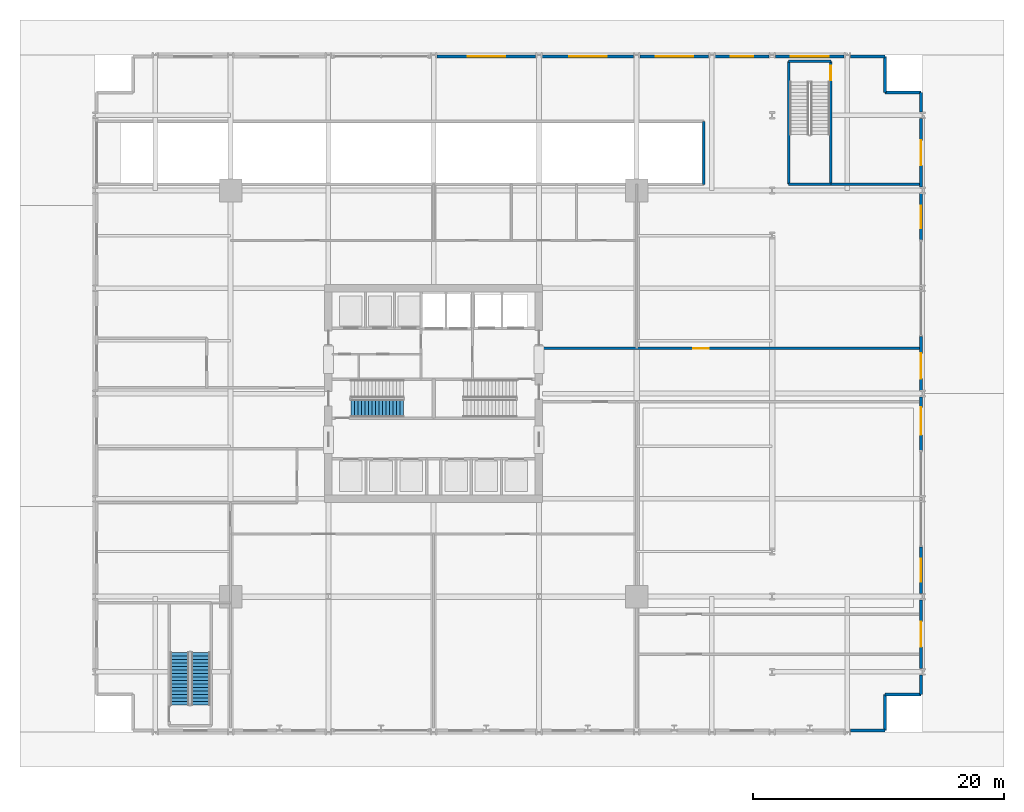
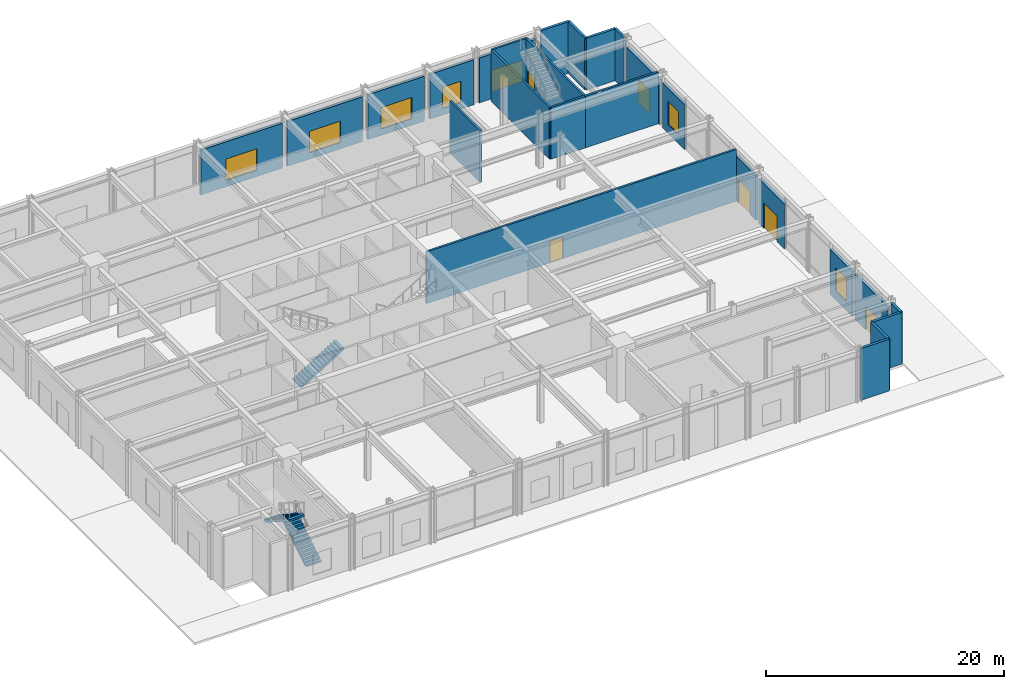
# One storey, part 14 of 21: 26 walls, 7 windows, 6 doors, 3 stair flights, 13 openings, 2 elements without a shape of their own.
"""IFC4 building model written with IfcOpenShell, lengths in metres."""

from ifc_helpers import new_model, si_unit, direction, frame, frame_2d, origin, place, context, subcontext, project, spatial, polyline, rectangle, outline, extrude, material, layer, layer_set, type_object, element, fill, aggregate, save


model = new_model("IFC4")

# Units and contexts
model_context = context("Model", 3, precision=1e-05, world=origin(), true_north=direction((0.0, 1.0)))
body_context = subcontext(model_context, "Body", "Model", "MODEL_VIEW")
ifc_project = project(units=[si_unit("LENGTHUNIT", "METRE"), si_unit("AREAUNIT", "SQUARE_METRE"), si_unit("VOLUMEUNIT", "CUBIC_METRE"), si_unit("PLANEANGLEUNIT", "RADIAN"), si_unit("MASSUNIT", "GRAM", prefix="KILO")], contexts=[model_context])

# Site, building, storey
site_placement = place(None, origin())
site = spatial("IfcSite", under=ifc_project, at=site_placement, CompositionType="ELEMENT")
building_placement = place(site_placement, origin())
building = spatial("IfcBuilding", under=site, at=building_placement, Name="Drelvath Grand Hotel", CompositionType="ELEMENT")
storey_placement = place(building_placement, origin())
storey = spatial("IfcBuildingStorey", under=building, at=storey_placement, Name="L00", CompositionType="ELEMENT", Elevation=0.0)

# Wall
ifc_material_1 = material(Name="Concrete C40/50", Category="concrete")
ifc_layer_1 = layer(ifc_material_1, 0.199951171875)
ifc_layer_set_1 = layer_set([ifc_layer_1], Name="Concrete C40/50")
wall_type_1 = type_object("IfcWallType", Name="Core Shaft Fire Wall 200", PredefinedType="SOLIDWALL", material=ifc_layer_set_1)
wall_1_placement = place(storey_placement, frame((28.320068359375, 43.699951171875, 0.0), z_axis=(0.0, 0.0, 1.0), x_axis=(0.0, 1.0, 0.0)))
element("IfcWall", 1, at=wall_1_placement, inside=storey, type_object=wall_type_1, Name="L00 Stair ST-4 West Wall", PredefinedType="SOLIDWALL", context=body_context, shape_type="SweptSolid", body=[
    extrude(rectangle(XDim=9.800048828125, YDim=0.199951171875, at=frame_2d((4.89990234375, 0.0))), origin(), (0.0, 0.0, 1.0), 5.300048828125),
])

# Wall, opening, door
wall_2_placement = place(storey_placement, frame((31.679931640625, 53.5, 0.0), z_axis=(0.0, 0.0, 1.0), x_axis=(0.0, -1.0, 0.0)))
wall_2 = element("IfcWall", 2, at=wall_2_placement, inside=storey, type_object=wall_type_1, Name="L00 Stair ST-4 East Wall", PredefinedType="SOLIDWALL", context=body_context, shape_type="SweptSolid", body=[
    extrude(rectangle(XDim=9.800048828125, YDim=0.199951171875, at=frame_2d((4.89990234375, 0.0))), origin(), (0.0, 0.0, 1.0), 5.300048828125),
])
opening_1_placement = place(wall_2_placement, frame((0.35009765625, 0.0, 0.0)))
opening_1 = element("IfcOpeningElement", 3, at=opening_1_placement, cuts=wall_2, Name="Opening SD-ST4-L00", PredefinedType="OPENING", context=body_context, shape_type="SweptSolid", body=[
    extrude(rectangle(XDim=1.14990234375, YDim=2.14990234375, at=frame_2d((0.574951171875, 1.074951171875))), frame((0.0, 0.10986328125, 0.0), z_axis=(0.0, -1.0, 0.0), x_axis=(1.0, 0.0, 0.0)), (0.0, 0.0, 1.0), 0.219970703125),
])
ifc_material_2 = material(Name="Painted Steel S275", Category="steel")
door_type_1 = type_object("IfcDoorType", Name="Podium Stairwell Fire Door 1150x2150", OperationType="NOTDEFINED", PredefinedType="DOOR", material=ifc_material_2)
door_1_placement = place(opening_1_placement, origin())
door_1 = element("IfcDoor", 4, at=door_1_placement, inside=storey, type_object=door_type_1, Name="L00 Exit Stair ST-4 Discharge Door", OperationType="SINGLE_SWING_LEFT", OverallHeight=2.14990234375, OverallWidth=1.14990234375, PredefinedType="DOOR", context=body_context, shape_type="SweptSolid", body=[
    extrude(rectangle(XDim=1.14990234375, YDim=2.14990234375, at=frame_2d((0.574951171875, 1.074951171875))), frame((0.0, 0.02490234375, 0.0), z_axis=(0.0, -1.0, 0.0), x_axis=(1.0, 0.0, 0.0)), (0.0, 0.0, 1.0), 0.050048828125),
])
fill(opening_1, door_1)

# Walls
for number, where, z_axis, x_axis, name in (
    (5, (28.320068359375, 43.699951171875, 0.0), (0.0, 0.0, 1.0), (1.0, 0.0, 0.0), "L00 Stair ST-4 South Wall"),
    (6, (31.679931640625, 53.5, 0.0), (0.0, 0.0, 1.0), (-1.0, 0.0, 0.0), "L00 Stair ST-4 North Wall"),
):
    element("IfcWall", number, at=place(storey_placement, frame(where, z_axis=z_axis, x_axis=x_axis)), inside=storey, type_object=wall_type_1, Name=name, PredefinedType="SOLIDWALL", context=body_context, shape_type="SweptSolid", body=[
        extrude(rectangle(XDim=3.35986328125, YDim=0.199951171875, at=frame_2d((1.679931640625, 0.0))), origin(), (0.0, 0.0, 1.0), 5.300048828125),
    ])
wall_3_placement = place(storey_placement, frame((21.550048828125, 43.679931640625, 0.0), z_axis=(0.0, 0.0, 1.0), x_axis=(0.0, 1.0, 0.0)))
element("IfcWall", 7, at=wall_3_placement, inside=storey, type_object=wall_type_1, Name="L00 L00 Ramp R1 East Headwall", PredefinedType="SOLIDWALL", context=body_context, shape_type="SweptSolid", body=[
    extrude(rectangle(XDim=5.0400390625, YDim=0.199951171875, at=frame_2d((2.52001953125, 0.0))), origin(), (0.0, 0.0, 1.0), 5.300048828125),
])
wall_4_placement = place(storey_placement, frame((31.679931640625, 43.699951171875, 0.0), z_axis=(0.0, 0.0, 1.0), x_axis=(1.0, 0.0, 0.0)))
element("IfcWall", 8, at=wall_4_placement, inside=storey, type_object=wall_type_1, Name="L00 NE Exit Passage South Wall", PredefinedType="SOLIDWALL", context=body_context, shape_type="SweptSolid", body=[
    extrude(rectangle(XDim=7.080078125, YDim=0.199951171875, at=frame_2d((3.5400390625, 0.0))), origin(), (0.0, 0.0, 1.0), 5.300048828125),
])

# Wall, opening, door
wall_5_placement = place(storey_placement, frame((8.699951171875, 30.60009765625, 0.0), z_axis=(0.0, 0.0, 1.0), x_axis=(1.0, 0.0, 0.0)))
wall_5 = element("IfcWall", 9, at=wall_5_placement, inside=storey, type_object=wall_type_1, Name="L00 East Exit Passage North Wall", PredefinedType="SOLIDWALL", context=body_context, shape_type="SweptSolid", body=[
    extrude(rectangle(XDim=30.06005859375, YDim=0.199951171875, at=frame_2d((15.030029296875, 0.0))), origin(), (0.0, 0.0, 1.0), 5.300048828125),
])
opening_2_placement = place(wall_5_placement, frame((12.0, 0.0, 0.0)))
opening_2 = element("IfcOpeningElement", 10, at=opening_2_placement, cuts=wall_5, Name="Opening D-L00-037", PredefinedType="OPENING", context=body_context, shape_type="SweptSolid", body=[
    extrude(rectangle(XDim=1.260009765625, YDim=2.199951171875, at=frame_2d((0.6298828125, 1.10009765625))), frame((0.0, 0.10986328125, 0.0), z_axis=(0.0, -1.0, 0.0), x_axis=(1.0, 0.0, 0.0)), (0.0, 0.0, 1.0), 0.219970703125),
])
ifc_material_3 = material(Name="Hardwood Walnut Timber", Category="wood")
door_type_2 = type_object("IfcDoorType", Name="Suite Entrance Fire Door 1260x2200", OperationType="NOTDEFINED", PredefinedType="DOOR", material=ifc_material_3)
door_2_placement = place(opening_2_placement, origin())
door_2 = element("IfcDoor", 11, at=door_2_placement, inside=storey, type_object=door_type_2, Name="L00 Tea Bar South Door", OperationType="SINGLE_SWING_RIGHT", OverallHeight=2.199951171875, OverallWidth=1.260009765625, PredefinedType="DOOR", context=body_context, shape_type="SweptSolid", body=[
    extrude(rectangle(XDim=1.260009765625, YDim=2.199951171875, at=frame_2d((0.6298828125, 1.10009765625))), frame((0.0, 0.02490234375, 0.0), z_axis=(0.0, -1.0, 0.0), x_axis=(1.0, 0.0, 0.0)), (0.0, 0.0, 1.0), 0.050048828125),
])
fill(opening_2, door_2)

# Wall
ifc_material_4 = material(Name="Insulated Granite Rainscreen Assembly", Category="masonry")
ifc_layer_2 = layer(ifc_material_4, 0.239990234375)
ifc_layer_set_2 = layer_set([ifc_layer_2], Name="Insulated Granite Rainscreen Assembly")
wall_type_2 = type_object("IfcWallType", Name="Podium Granite Rainscreen Exterior Wall 240", PredefinedType="STANDARD", material=ifc_layer_set_2)
wall_6_placement = place(storey_placement, frame((38.8798828125, 4.542236328125, 0.0), z_axis=(0.0, 0.0, 1.0), x_axis=(0.0, -1.0, 0.0)))
element("IfcWall", 12, at=wall_6_placement, inside=storey, type_object=wall_type_2, Name="L00 East Podium Granite Wall 1", PredefinedType="STANDARD", context=body_context, shape_type="SweptSolid", body=[
    extrude(rectangle(XDim=1.542236328125, YDim=0.239990234375, at=frame_2d((0.77099609375, 0.0))), origin(), (0.0, 0.0, 1.0), 5.300048828125),
])

# Wall, opening, door
wall_7_placement = place(storey_placement, frame((38.8798828125, 10.542236328125, 0.0), z_axis=(0.0, 0.0, 1.0), x_axis=(0.0, -1.0, 0.0)))
wall_7 = element("IfcWall", 13, at=wall_7_placement, inside=storey, type_object=wall_type_2, Name="L00 East Podium Granite Wall 2", PredefinedType="STANDARD", context=body_context, shape_type="SweptSolid", body=[
    extrude(rectangle(XDim=5.484619140625, YDim=0.239990234375, at=frame_2d((2.7421875, 0.0))), origin(), (0.0, 0.0, 1.0), 4.6044921875),
])
opening_3_placement = place(wall_7_placement, frame((1.7421875, 0.0, 0.0)))
opening_3 = element("IfcOpeningElement", 14, at=opening_3_placement, cuts=wall_7, Name="Opening EX-05", PredefinedType="OPENING", context=body_context, shape_type="SweptSolid", body=[
    extrude(rectangle(XDim=2.0, YDim=2.39990234375, at=frame_2d((1.0, 1.199951171875))), frame((0.0, 0.1298828125, 0.0), z_axis=(0.0, -1.0, 0.0), x_axis=(1.0, 0.0, 0.0)), (0.0, 0.0, 1.0), 0.260009765625),
])
ifc_material_5 = material(Name="Bronze Anodised Thermally Broken Aluminium", Category="aluminium")
door_type_3 = type_object("IfcDoorType", Name="Street Final Exit Double Door 2000x2400", OperationType="DOUBLE_DOOR_SINGLE_SWING", PredefinedType="DOOR", material=ifc_material_5)
door_3_placement = place(opening_3_placement, origin())
door_3 = element("IfcDoor", 15, at=door_3_placement, inside=storey, type_object=door_type_3, Name="L00 Southeast Final Exit Discharge Door EX-05", OperationType="DOUBLE_DOOR_SINGLE_SWING", OverallHeight=2.39990234375, OverallWidth=2.0, PredefinedType="DOOR", context=body_context, shape_type="SweptSolid", body=[
    extrude(rectangle(XDim=2.0, YDim=2.39990234375, at=frame_2d((1.0, 1.199951171875))), frame((0.0, 0.02490234375, 0.0), z_axis=(0.0, -1.0, 0.0), x_axis=(1.0, 0.0, 0.0)), (0.0, 0.0, 1.0), 0.050048828125),
])
fill(opening_3, door_3)

# Wall, opening, window
wall_8_placement = place(storey_placement, frame((38.8798828125, 14.75, 0.0), z_axis=(0.0, 0.0, 1.0), x_axis=(0.0, -1.0, 0.0)))
wall_8 = element("IfcWall", 16, at=wall_8_placement, inside=storey, type_object=wall_type_2, Name="L00 East Podium Granite Wall 3", PredefinedType="STANDARD", context=body_context, shape_type="SweptSolid", body=[
    extrude(rectangle(XDim=3.6923828125, YDim=0.239990234375, at=frame_2d((1.84619140625, 0.0))), origin(), (0.0, 0.0, 1.0), 4.6044921875),
])
opening_4_placement = place(wall_8_placement, frame((0.946044921875, 0.0, 0.89990234375)))
opening_4 = element("IfcOpeningElement", 17, at=opening_4_placement, cuts=wall_8, Name="Opening W-02", PredefinedType="OPENING", context=body_context, shape_type="SweptSolid", body=[
    extrude(rectangle(XDim=1.800048828125, YDim=2.39990234375, at=frame_2d((0.89990234375, 1.199951171875))), frame((0.0, 0.1298828125, 0.0), z_axis=(0.0, -1.0, 0.0), x_axis=(1.0, 0.0, 0.0)), (0.0, 0.0, 1.0), 0.260009765625),
])
ifc_material_6 = material(Name="Bronze Anodised Low-E Triple Glazing", Category="glass")
window_type_1 = type_object("IfcWindowType", Name="Chicago Double-Pane Podium Window 1800x2400", PartitioningType="DOUBLE_PANEL_VERTICAL", PredefinedType="WINDOW", material=ifc_material_6)
window_1_placement = place(opening_4_placement, origin())
window_1 = element("IfcWindow", 18, at=window_1_placement, inside=storey, type_object=window_type_1, Name="L00 East Podium Window 3", OverallHeight=2.39990234375, OverallWidth=1.800048828125, PartitioningType="SINGLE_PANEL", PredefinedType="WINDOW", context=body_context, shape_type="SweptSolid", body=[
    extrude(rectangle(XDim=1.800048828125, YDim=2.39990234375, at=frame_2d((0.89990234375, 1.199951171875))), frame((0.0, 0.030029296875, 0.0), z_axis=(0.0, -1.0, 0.0), x_axis=(1.0, 0.0, 0.0)), (0.0, 0.0, 1.0), 0.06005859375),
])
fill(opening_4, window_1)

# Wall, opening, door
wall_9_placement = place(storey_placement, frame((38.8798828125, 26.7421875, 0.0), z_axis=(0.0, 0.0, 1.0), x_axis=(0.0, -1.0, 0.0)))
wall_9 = element("IfcWall", 19, at=wall_9_placement, inside=storey, type_object=wall_type_2, Name="L00 East Podium Granite Wall 4", PredefinedType="STANDARD", context=body_context, shape_type="SweptSolid", body=[
    extrude(rectangle(XDim=4.292236328125, YDim=0.239990234375, at=frame_2d((2.14599609375, 0.0))), origin(), (0.0, 0.0, 1.0), 4.6044921875),
])
opening_5_placement = place(wall_9_placement, frame((0.84228515625, 0.0, 0.0)))
opening_5 = element("IfcOpeningElement", 20, at=opening_5_placement, cuts=wall_9, Name="Opening ENT-01", PredefinedType="OPENING", context=body_context, shape_type="SweptSolid", body=[
    extrude(rectangle(XDim=2.199951171875, YDim=2.60009765625, at=frame_2d((1.10009765625, 1.300048828125))), frame((0.0, 0.1298828125, 0.0), z_axis=(0.0, -1.0, 0.0), x_axis=(1.0, 0.0, 0.0)), (0.0, 0.0, 1.0), 0.260009765625),
])
ifc_material_7 = material(Name="Bronze Anodised Thermally Broken Glass Door", Category="glass")
door_type_4 = type_object("IfcDoorType", Name="Grand Entrance Glazed Double Door 2200x2600", OperationType="DOUBLE_DOOR_SINGLE_SWING", PredefinedType="DOOR", material=ifc_material_7)
door_4_placement = place(opening_5_placement, origin())
door_4 = element("IfcDoor", 21, at=door_4_placement, inside=storey, type_object=door_type_4, Name="L00 East Atrium Grand Entrance Door ENT-01", OperationType="DOUBLE_DOOR_SINGLE_SWING", OverallHeight=2.60009765625, OverallWidth=2.199951171875, PredefinedType="DOOR", context=body_context, shape_type="SweptSolid", body=[
    extrude(rectangle(XDim=2.199951171875, YDim=2.60009765625, at=frame_2d((1.10009765625, 1.300048828125))), frame((0.0, 0.02490234375, 0.0), z_axis=(0.0, -1.0, 0.0), x_axis=(1.0, 0.0, 0.0)), (0.0, 0.0, 1.0), 0.050048828125),
])
fill(opening_5, door_4)

wall_10_placement = place(storey_placement, frame((38.8798828125, 31.550048828125, 0.0), z_axis=(0.0, 0.0, 1.0), x_axis=(0.0, -1.0, 0.0)))
wall_10 = element("IfcWall", 22, at=wall_10_placement, inside=storey, type_object=wall_type_2, Name="L00 East Podium Granite Wall 5", PredefinedType="STANDARD", context=body_context, shape_type="SweptSolid", body=[
    extrude(rectangle(XDim=4.292236328125, YDim=0.239990234375, at=frame_2d((2.14599609375, 0.0))), origin(), (0.0, 0.0, 1.0), 4.6044921875),
])
opening_6_placement = place(wall_10_placement, frame((1.35009765625, 0.0, 0.0)))
opening_6 = element("IfcOpeningElement", 23, at=opening_6_placement, cuts=wall_10, Name="Opening EX-04", PredefinedType="OPENING", context=body_context, shape_type="SweptSolid", body=[
    extrude(rectangle(XDim=2.0, YDim=2.39990234375, at=frame_2d((1.0, 1.199951171875))), frame((0.0, 0.1298828125, 0.0), z_axis=(0.0, -1.0, 0.0), x_axis=(1.0, 0.0, 0.0)), (0.0, 0.0, 1.0), 0.260009765625),
])
door_5_placement = place(opening_6_placement, origin())
door_5 = element("IfcDoor", 24, at=door_5_placement, inside=storey, type_object=door_type_3, Name="L00 East Atrium Final Exit Discharge Door EX-04", OperationType="DOUBLE_DOOR_SINGLE_SWING", OverallHeight=2.39990234375, OverallWidth=2.0, PredefinedType="DOOR", context=body_context, shape_type="SweptSolid", body=[
    extrude(rectangle(XDim=2.0, YDim=2.39990234375, at=frame_2d((1.0, 1.199951171875))), frame((0.0, 0.02490234375, 0.0), z_axis=(0.0, -1.0, 0.0), x_axis=(1.0, 0.0, 0.0)), (0.0, 0.0, 1.0), 0.050048828125),
])
fill(opening_6, door_5)

# Wall, opening, window
wall_11_placement = place(storey_placement, frame((38.8798828125, 42.9423828125, 0.0), z_axis=(0.0, 0.0, 1.0), x_axis=(0.0, -1.0, 0.0)))
wall_11 = element("IfcWall", 25, at=wall_11_placement, inside=storey, type_object=wall_type_2, Name="L00 East Podium Granite Wall 6", PredefinedType="STANDARD", context=body_context, shape_type="SweptSolid", body=[
    extrude(rectangle(XDim=3.6923828125, YDim=0.239990234375, at=frame_2d((1.84619140625, 0.0))), origin(), (0.0, 0.0, 1.0), 4.6044921875),
])
opening_7_placement = place(wall_11_placement, frame((0.9462890625, 0.0, 0.89990234375)))
opening_7 = element("IfcOpeningElement", 26, at=opening_7_placement, cuts=wall_11, Name="Opening W-02", PredefinedType="OPENING", context=body_context, shape_type="SweptSolid", body=[
    extrude(rectangle(XDim=1.800048828125, YDim=2.39990234375, at=frame_2d((0.89990234375, 1.199951171875))), frame((0.0, 0.1298828125, 0.0), z_axis=(0.0, -1.0, 0.0), x_axis=(1.0, 0.0, 0.0)), (0.0, 0.0, 1.0), 0.260009765625),
])
window_2_placement = place(opening_7_placement, origin())
window_2 = element("IfcWindow", 27, at=window_2_placement, inside=storey, type_object=window_type_1, Name="L00 East Podium Window 6", OverallHeight=2.39990234375, OverallWidth=1.800048828125, PartitioningType="SINGLE_PANEL", PredefinedType="WINDOW", context=body_context, shape_type="SweptSolid", body=[
    extrude(rectangle(XDim=1.800048828125, YDim=2.39990234375, at=frame_2d((0.89990234375, 1.199951171875))), frame((0.0, 0.030029296875, 0.0), z_axis=(0.0, -1.0, 0.0), x_axis=(1.0, 0.0, 0.0)), (0.0, 0.0, 1.0), 0.06005859375),
])
fill(opening_7, window_2)

# Wall, opening, door
wall_12_placement = place(storey_placement, frame((38.8798828125, 48.9423828125, 0.0), z_axis=(0.0, 0.0, 1.0), x_axis=(0.0, -1.0, 0.0)))
wall_12 = element("IfcWall", 28, at=wall_12_placement, inside=storey, type_object=wall_type_2, Name="L00 East Podium Granite Wall 7", PredefinedType="STANDARD", context=body_context, shape_type="SweptSolid", body=[
    extrude(rectangle(XDim=5.484619140625, YDim=0.239990234375, at=frame_2d((2.7421875, 0.0))), origin(), (0.0, 0.0, 1.0), 4.6044921875),
])
opening_8_placement = place(wall_12_placement, frame((1.7421875, 0.0, 0.0)))
opening_8 = element("IfcOpeningElement", 29, at=opening_8_placement, cuts=wall_12, Name="Opening EX-03", PredefinedType="OPENING", context=body_context, shape_type="SweptSolid", body=[
    extrude(rectangle(XDim=2.0, YDim=2.39990234375, at=frame_2d((1.0, 1.199951171875))), frame((0.0, 0.1298828125, 0.0), z_axis=(0.0, -1.0, 0.0), x_axis=(1.0, 0.0, 0.0)), (0.0, 0.0, 1.0), 0.260009765625),
])
door_6_placement = place(opening_8_placement, origin())
door_6 = element("IfcDoor", 30, at=door_6_placement, inside=storey, type_object=door_type_3, Name="L00 Northeast Final Exit Discharge Door EX-03", OperationType="DOUBLE_DOOR_SINGLE_SWING", OverallHeight=2.39990234375, OverallWidth=2.0, PredefinedType="DOOR", context=body_context, shape_type="SweptSolid", body=[
    extrude(rectangle(XDim=2.0, YDim=2.39990234375, at=frame_2d((1.0, 1.199951171875))), frame((0.0, 0.02490234375, 0.0), z_axis=(0.0, -1.0, 0.0), x_axis=(1.0, 0.0, 0.0)), (0.0, 0.0, 1.0), 0.050048828125),
])
fill(opening_8, door_6)

# Walls
wall_13_placement = place(storey_placement, frame((38.8798828125, 51.0, 0.0), z_axis=(0.0, 0.0, 1.0), x_axis=(0.0, -1.0, 0.0)))
element("IfcWall", 31, at=wall_13_placement, inside=storey, type_object=wall_type_2, Name="L00 East Podium Granite Wall 8", PredefinedType="STANDARD", context=body_context, shape_type="SweptSolid", body=[
    extrude(rectangle(XDim=1.542236328125, YDim=0.239990234375, at=frame_2d((0.77099609375, 0.0))), origin(), (0.0, 0.0, 1.0), 5.300048828125),
])
wall_14_placement = place(storey_placement, frame((36.0, 0.1201171875, 0.0), z_axis=(0.0, 0.0, 1.0), x_axis=(-1.0, 0.0, 0.0)))
element("IfcWall", 32, at=wall_14_placement, inside=storey, type_object=wall_type_2, Name="L00 South Podium Granite Wall 16", PredefinedType="STANDARD", context=body_context, shape_type="SweptSolid", body=[
    extrude(rectangle(XDim=2.7421875, YDim=0.239990234375, at=frame_2d((1.37109375, 0.0))), origin(), (0.0, 0.0, 1.0), 5.300048828125),
])

# Wall, opening, window
wall_15_placement = place(storey_placement, frame((0.2578125, 53.8798828125, 0.0), z_axis=(0.0, 0.0, 1.0), x_axis=(1.0, 0.0, 0.0)))
wall_15 = element("IfcWall", 33, at=wall_15_placement, inside=storey, type_object=wall_type_2, Name="L00 North Podium Granite Wall 6", PredefinedType="STANDARD", context=body_context, shape_type="SweptSolid", body=[
    extrude(rectangle(XDim=7.884521484375, YDim=0.239990234375, at=frame_2d((3.9423828125, 0.0))), origin(), (0.0, 0.0, 1.0), 4.6044921875),
])
opening_9_placement = place(wall_15_placement, frame((2.4423828125, 0.0, 0.64990234375)))
opening_9 = element("IfcOpeningElement", 34, at=opening_9_placement, cuts=wall_15, Name="Opening W-03", PredefinedType="OPENING", context=body_context, shape_type="SweptSolid", body=[
    extrude(rectangle(XDim=3.0, YDim=2.199951171875, at=frame_2d((1.5, 1.10009765625))), frame((0.0, 0.1298828125, 0.0), z_axis=(0.0, -1.0, 0.0), x_axis=(1.0, 0.0, 0.0)), (0.0, 0.0, 1.0), 0.260009765625),
])
window_type_2 = type_object("IfcWindowType", Name="Podium Clerestory Ribbon Window 3000x2200", PartitioningType="TRIPLE_PANEL_VERTICAL", PredefinedType="WINDOW", material=ifc_material_6)
window_3_placement = place(opening_9_placement, origin())
window_3 = element("IfcWindow", 35, at=window_3_placement, inside=storey, type_object=window_type_2, Name="L00 North Chicago Window 6", OverallHeight=2.199951171875, OverallWidth=3.0, PartitioningType="SINGLE_PANEL", PredefinedType="WINDOW", context=body_context, shape_type="SweptSolid", body=[
    extrude(rectangle(XDim=3.0, YDim=2.199951171875, at=frame_2d((1.5, 1.10009765625))), frame((0.0, 0.030029296875, 0.0), z_axis=(0.0, -1.0, 0.0), x_axis=(1.0, 0.0, 0.0)), (0.0, 0.0, 1.0), 0.06005859375),
])
fill(opening_9, window_3)

wall_16_placement = place(storey_placement, frame((8.65771484375, 53.8798828125, 0.0), z_axis=(0.0, 0.0, 1.0), x_axis=(1.0, 0.0, 0.0)))
wall_16 = element("IfcWall", 36, at=wall_16_placement, inside=storey, type_object=wall_type_2, Name="L00 North Podium Granite Wall 7", PredefinedType="STANDARD", context=body_context, shape_type="SweptSolid", body=[
    extrude(rectangle(XDim=7.28466796875, YDim=0.239990234375, at=frame_2d((3.642333984375, 0.0))), origin(), (0.0, 0.0, 1.0), 4.6044921875),
])
opening_10_placement = place(wall_16_placement, frame((2.142333984375, 0.0, 0.64990234375)))
opening_10 = element("IfcOpeningElement", 37, at=opening_10_placement, cuts=wall_16, Name="Opening W-03", PredefinedType="OPENING", context=body_context, shape_type="SweptSolid", body=[
    extrude(rectangle(XDim=3.0, YDim=2.199951171875, at=frame_2d((1.5, 1.10009765625))), frame((0.0, 0.1298828125, 0.0), z_axis=(0.0, -1.0, 0.0), x_axis=(1.0, 0.0, 0.0)), (0.0, 0.0, 1.0), 0.260009765625),
])
window_4_placement = place(opening_10_placement, origin())
window_4 = element("IfcWindow", 38, at=window_4_placement, inside=storey, type_object=window_type_2, Name="L00 North Chicago Window 7", OverallHeight=2.199951171875, OverallWidth=3.0, PartitioningType="SINGLE_PANEL", PredefinedType="WINDOW", context=body_context, shape_type="SweptSolid", body=[
    extrude(rectangle(XDim=3.0, YDim=2.199951171875, at=frame_2d((1.5, 1.10009765625))), frame((0.0, 0.030029296875, 0.0), z_axis=(0.0, -1.0, 0.0), x_axis=(1.0, 0.0, 0.0)), (0.0, 0.0, 1.0), 0.06005859375),
])
fill(opening_10, window_4)

wall_17_placement = place(storey_placement, frame((16.457763671875, 53.8798828125, 0.0), z_axis=(0.0, 0.0, 1.0), x_axis=(1.0, 0.0, 0.0)))
wall_17 = element("IfcWall", 39, at=wall_17_placement, inside=storey, type_object=wall_type_2, Name="L00 North Podium Granite Wall 8", PredefinedType="STANDARD", context=body_context, shape_type="SweptSolid", body=[
    extrude(rectangle(XDim=5.484619140625, YDim=0.239990234375, at=frame_2d((2.7421875, 0.0))), origin(), (0.0, 0.0, 1.0), 4.6044921875),
])
opening_11_placement = place(wall_17_placement, frame((1.2421875, 0.0, 0.64990234375)))
opening_11 = element("IfcOpeningElement", 40, at=opening_11_placement, cuts=wall_17, Name="Opening W-03", PredefinedType="OPENING", context=body_context, shape_type="SweptSolid", body=[
    extrude(rectangle(XDim=3.0, YDim=2.199951171875, at=frame_2d((1.5, 1.10009765625))), frame((0.0, 0.1298828125, 0.0), z_axis=(0.0, -1.0, 0.0), x_axis=(1.0, 0.0, 0.0)), (0.0, 0.0, 1.0), 0.260009765625),
])
window_5_placement = place(opening_11_placement, origin())
window_5 = element("IfcWindow", 41, at=window_5_placement, inside=storey, type_object=window_type_2, Name="L00 North Chicago Window 8", OverallHeight=2.199951171875, OverallWidth=3.0, PartitioningType="SINGLE_PANEL", PredefinedType="WINDOW", context=body_context, shape_type="SweptSolid", body=[
    extrude(rectangle(XDim=3.0, YDim=2.199951171875, at=frame_2d((1.5, 1.10009765625))), frame((0.0, 0.030029296875, 0.0), z_axis=(0.0, -1.0, 0.0), x_axis=(1.0, 0.0, 0.0)), (0.0, 0.0, 1.0), 0.06005859375),
])
fill(opening_11, window_5)

wall_18_placement = place(storey_placement, frame((22.457763671875, 53.8798828125, 0.0), z_axis=(0.0, 0.0, 1.0), x_axis=(1.0, 0.0, 0.0)))
wall_18 = element("IfcWall", 42, at=wall_18_placement, inside=storey, type_object=wall_type_2, Name="L00 North Podium Granite Wall 9", PredefinedType="STANDARD", context=body_context, shape_type="SweptSolid", body=[
    extrude(rectangle(XDim=4.284423828125, YDim=0.239990234375, at=frame_2d((2.14208984375, 0.0))), origin(), (0.0, 0.0, 1.0), 4.6044921875),
])
opening_12_placement = place(wall_18_placement, frame((1.2421875, 0.0, 0.64990234375)))
opening_12 = element("IfcOpeningElement", 43, at=opening_12_placement, cuts=wall_18, Name="Opening W-02", PredefinedType="OPENING", context=body_context, shape_type="SweptSolid", body=[
    extrude(rectangle(XDim=1.800048828125, YDim=2.199951171875, at=frame_2d((0.89990234375, 1.10009765625))), frame((0.0, 0.1298828125, 0.0), z_axis=(0.0, -1.0, 0.0), x_axis=(1.0, 0.0, 0.0)), (0.0, 0.0, 1.0), 0.260009765625),
])
window_6_placement = place(opening_12_placement, origin())
window_6 = element("IfcWindow", 44, at=window_6_placement, inside=storey, type_object=window_type_1, Name="L00 North Chicago Window 9", OverallHeight=2.199951171875, OverallWidth=1.800048828125, PartitioningType="SINGLE_PANEL", PredefinedType="WINDOW", context=body_context, shape_type="SweptSolid", body=[
    extrude(rectangle(XDim=1.800048828125, YDim=2.199951171875, at=frame_2d((0.89990234375, 1.10009765625))), frame((0.0, 0.030029296875, 0.0), z_axis=(0.0, -1.0, 0.0), x_axis=(1.0, 0.0, 0.0)), (0.0, 0.0, 1.0), 0.06005859375),
])
fill(opening_12, window_6)

wall_19_placement = place(storey_placement, frame((27.2578125, 53.8798828125, 0.0), z_axis=(0.0, 0.0, 1.0), x_axis=(1.0, 0.0, 0.0)))
wall_19 = element("IfcWall", 45, at=wall_19_placement, inside=storey, type_object=wall_type_2, Name="L00 North Podium Granite Wall 10", PredefinedType="STANDARD", context=body_context, shape_type="SweptSolid", body=[
    extrude(rectangle(XDim=5.484375, YDim=0.239990234375, at=frame_2d((2.7421875, 0.0))), origin(), (0.0, 0.0, 1.0), 4.6044921875),
])
opening_13_placement = place(wall_19_placement, frame((1.2421875, 0.0, 0.64990234375)))
opening_13 = element("IfcOpeningElement", 46, at=opening_13_placement, cuts=wall_19, Name="Opening W-03", PredefinedType="OPENING", context=body_context, shape_type="SweptSolid", body=[
    extrude(rectangle(XDim=3.0, YDim=2.199951171875, at=frame_2d((1.5, 1.10009765625))), frame((0.0, 0.1298828125, 0.0), z_axis=(0.0, -1.0, 0.0), x_axis=(1.0, 0.0, 0.0)), (0.0, 0.0, 1.0), 0.260009765625),
])
window_7_placement = place(opening_13_placement, origin())
window_7 = element("IfcWindow", 47, at=window_7_placement, inside=storey, type_object=window_type_2, Name="L00 North Chicago Window 10", OverallHeight=2.199951171875, OverallWidth=3.0, PartitioningType="SINGLE_PANEL", PredefinedType="WINDOW", context=body_context, shape_type="SweptSolid", body=[
    extrude(rectangle(XDim=3.0, YDim=2.199951171875, at=frame_2d((1.5, 1.10009765625))), frame((0.0, 0.030029296875, 0.0), z_axis=(0.0, -1.0, 0.0), x_axis=(1.0, 0.0, 0.0)), (0.0, 0.0, 1.0), 0.06005859375),
])
fill(opening_13, window_7)

# Walls
wall_20_placement = place(storey_placement, frame((33.2578125, 53.8798828125, 0.0), z_axis=(0.0, 0.0, 1.0), x_axis=(1.0, 0.0, 0.0)))
element("IfcWall", 48, at=wall_20_placement, inside=storey, type_object=wall_type_2, Name="L00 North Podium Granite Wall 11", PredefinedType="STANDARD", context=body_context, shape_type="SweptSolid", body=[
    extrude(rectangle(XDim=2.7421875, YDim=0.239990234375, at=frame_2d((1.37109375, 0.0))), origin(), (0.0, 0.0, 1.0), 5.300048828125),
])
for number, where, z_axis, x_axis, name in (
    (49, (36.0, 53.8798828125, 0.0), (0.0, 0.0, 1.0), (0.0, -1.0, 0.0), "L00 Podium Corner Return Wall CNE1"),
    (50, (36.0, 51.0, 0.0), (0.0, 0.0, 1.0), (1.0, 0.0, 0.0), "L00 Podium Corner Return Wall CNE2"),
    (51, (38.8798828125, 3.0, 0.0), (0.0, 0.0, 1.0), (-1.0, 0.0, 0.0), "L00 Podium Corner Return Wall CSE1"),
    (52, (36.0, 3.0, 0.0), (0.0, 0.0, 1.0), (0.0, -1.0, 0.0), "L00 Podium Corner Return Wall CSE2"),
):
    element("IfcWall", number, at=place(storey_placement, frame(where, z_axis=z_axis, x_axis=x_axis)), inside=storey, type_object=wall_type_2, Name=name, PredefinedType="STANDARD", context=body_context, shape_type="SweptSolid", body=[
        extrude(rectangle(XDim=2.8798828125, YDim=0.239990234375, at=frame_2d((1.43994140625, 0.0))), origin(), (0.0, 0.0, 1.0), 5.300048828125),
    ])

# Stair, stair flight
stair_type_1 = type_object("IfcStairType", Name="Dogleg Exit Stair W1400-R175.0", PredefinedType="HALF_TURN_STAIR", material=ifc_material_1)
stair_1_placement = place(storey_placement, origin())
stair_1 = element("IfcStair", 53, at=stair_1_placement, inside=storey, type_object=stair_type_1, Name="L00 Core Exit Stair ST-1", PredefinedType="HALF_TURN_STAIR")
stair_flight_type_1 = type_object("IfcStairFlightType", Name="Concrete Stair Flight W1400-R175.0", PredefinedType="STRAIGHT", material=ifc_material_1)
stair_flight_1_placement = place(storey_placement, frame((-6.60009765625, 25.820068359375, 0.0), z_axis=(0.0, 0.0, 1.0), x_axis=(1.0, 0.0, 0.0)))
stair_flight_1 = element("IfcStairFlight", 54, at=stair_flight_1_placement, type_object=stair_flight_type_1, Name="ST-1 flight 1", NumberOfRisers=16, NumberOfTreads=15, PredefinedType="STRAIGHT", RiserHeight=0.175, TreadLength=0.28, context=body_context, shape_type="SweptSolid", body=[
    extrude(outline(polyline([(0.0, 0.0), (0.0, 0.175048828125), (0.280029296875, 0.175048828125), (0.280029296875, 0.35009765625), (0.56005859375, 0.35009765625), (0.56005859375, 0.52490234375), (0.840087890625, 0.52490234375), (0.840087890625, 0.699951171875), (1.1201171875, 0.699951171875), (1.1201171875, 0.875), (1.39990234375, 0.875), (1.39990234375, 1.050048828125), (1.679931640625, 1.050048828125), (1.679931640625, 1.22509765625), (1.9599609375, 1.22509765625), (1.9599609375, 1.39990234375), (2.239990234375, 1.39990234375), (2.239990234375, 1.574951171875), (2.52001953125, 1.574951171875), (2.52001953125, 1.75), (2.800048828125, 1.75), (2.800048828125, 1.925048828125), (3.080078125, 1.925048828125), (3.080078125, 2.10009765625), (3.360107421875, 2.10009765625), (3.360107421875, 2.27490234375), (3.639892578125, 2.27490234375), (3.639892578125, 2.449951171875), (3.919921875, 2.449951171875), (3.919921875, 2.625), (4.199951171875, 2.625), (4.199951171875, 2.800048828125), (4.199951171875, 2.4365234375), (0.3017578125, 0.0), (0.0, 0.0)])), frame((0.0, 0.699951171875, 0.0), z_axis=(0.0, -1.0, 0.0), x_axis=(1.0, 0.0, 0.0)), (0.0, 0.0, 1.0), 1.39990234375),
])
aggregate(stair_1, [stair_flight_1])

# Stair, stair flights
stair_type_2 = type_object("IfcStairType", Name="Dogleg Exit Stair W1500-R175.0", PredefinedType="HALF_TURN_STAIR", material=ifc_material_1)
stair_2_placement = place(storey_placement, origin())
stair_2 = element("IfcStair", 55, at=stair_2_placement, inside=storey, type_object=stair_type_2, Name="L00 Podium Exit Stair ST-3", PredefinedType="HALF_TURN_STAIR")
stair_flight_type_2 = type_object("IfcStairFlightType", Name="Concrete Stair Flight W1500-R175.0", PredefinedType="STRAIGHT", material=ifc_material_1)
stair_flight_2_placement = place(storey_placement, frame((-18.590087890625, 2.14990234375, 0.0), z_axis=(0.0, 0.0, 1.0), x_axis=(0.0, 1.0, 0.0)))
stair_flight_2 = element("IfcStairFlight", 56, at=stair_flight_2_placement, type_object=stair_flight_type_2, Name="ST-3 flight 1", NumberOfRisers=16, NumberOfTreads=15, PredefinedType="STRAIGHT", RiserHeight=0.175, TreadLength=0.28, context=body_context, shape_type="SweptSolid", body=[
    extrude(outline(polyline([(0.0, 0.0), (0.0, 0.175048828125), (0.280029296875, 0.175048828125), (0.280029296875, 0.35009765625), (0.56005859375, 0.35009765625), (0.56005859375, 0.52490234375), (0.840087890625, 0.52490234375), (0.840087890625, 0.699951171875), (1.1201171875, 0.699951171875), (1.1201171875, 0.875), (1.39990234375, 0.875), (1.39990234375, 1.050048828125), (1.679931640625, 1.050048828125), (1.679931640625, 1.22509765625), (1.9599609375, 1.22509765625), (1.9599609375, 1.39990234375), (2.239990234375, 1.39990234375), (2.239990234375, 1.574951171875), (2.52001953125, 1.574951171875), (2.52001953125, 1.75), (2.800048828125, 1.75), (2.800048828125, 1.925048828125), (3.080078125, 1.925048828125), (3.080078125, 2.10009765625), (3.360107421875, 2.10009765625), (3.360107421875, 2.27490234375), (3.639892578125, 2.27490234375), (3.639892578125, 2.449951171875), (3.919921875, 2.449951171875), (3.919921875, 2.625), (4.199951171875, 2.625), (4.199951171875, 2.800048828125), (4.199951171875, 2.4365234375), (0.3017578125, 0.0), (0.0, 0.0)])), frame((0.0, 0.75, 0.0), z_axis=(0.0, -1.0, 0.0), x_axis=(1.0, 0.0, 0.0)), (0.0, 0.0, 1.0), 1.5),
])
stair_flight_3_placement = place(storey_placement, frame((-20.25, 6.35009765625, 2.800048828125), z_axis=(0.0, 0.0, 1.0), x_axis=(0.0, -1.0, 0.0)))
stair_flight_3 = element("IfcStairFlight", 57, at=stair_flight_3_placement, type_object=stair_flight_type_2, Name="ST-3 flight 2", NumberOfRisers=16, NumberOfTreads=15, PredefinedType="STRAIGHT", RiserHeight=0.175, TreadLength=0.28, context=body_context, shape_type="SweptSolid", body=[
    extrude(outline(polyline([(0.0, 0.0), (0.0, 0.175048828125), (0.280029296875, 0.175048828125), (0.280029296875, 0.35009765625), (0.56005859375, 0.35009765625), (0.56005859375, 0.52490234375), (0.840087890625, 0.52490234375), (0.840087890625, 0.699951171875), (1.1201171875, 0.699951171875), (1.1201171875, 0.875), (1.39990234375, 0.875), (1.39990234375, 1.050048828125), (1.679931640625, 1.050048828125), (1.679931640625, 1.22509765625), (1.9599609375, 1.22509765625), (1.9599609375, 1.39990234375), (2.239990234375, 1.39990234375), (2.239990234375, 1.574951171875), (2.52001953125, 1.574951171875), (2.52001953125, 1.75), (2.800048828125, 1.75), (2.800048828125, 1.925048828125), (3.080078125, 1.925048828125), (3.080078125, 2.10009765625), (3.360107421875, 2.10009765625), (3.360107421875, 2.27490234375), (3.639892578125, 2.27490234375), (3.639892578125, 2.449951171875), (3.919921875, 2.449951171875), (3.919921875, 2.625), (4.199951171875, 2.625), (4.199951171875, 2.800048828125), (4.199951171875, 2.4365234375), (0.3017578125, 0.0), (0.0, 0.0)])), frame((0.0, 0.75, 0.0), z_axis=(0.0, -1.0, 0.0), x_axis=(1.0, 0.0, 0.0)), (0.0, 0.0, 1.0), 1.5),
])
aggregate(stair_2, [stair_flight_2, stair_flight_3])

save(model, "model.ifc")
